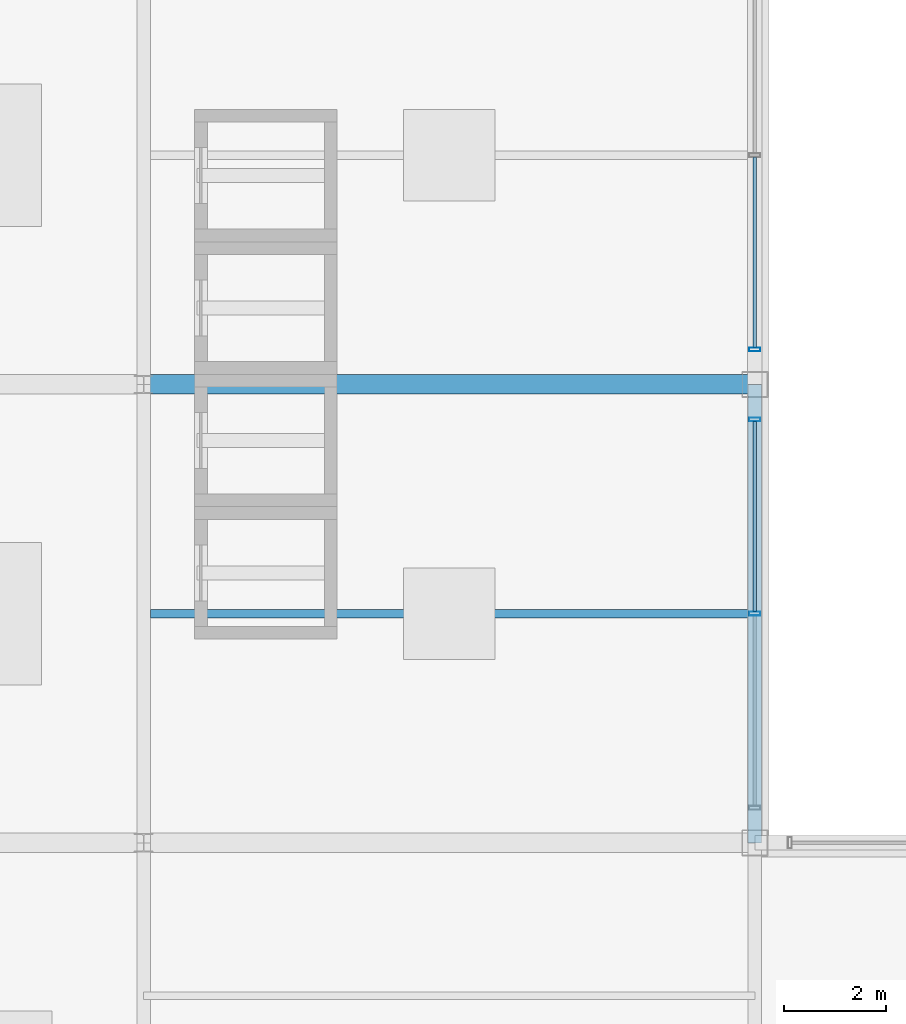
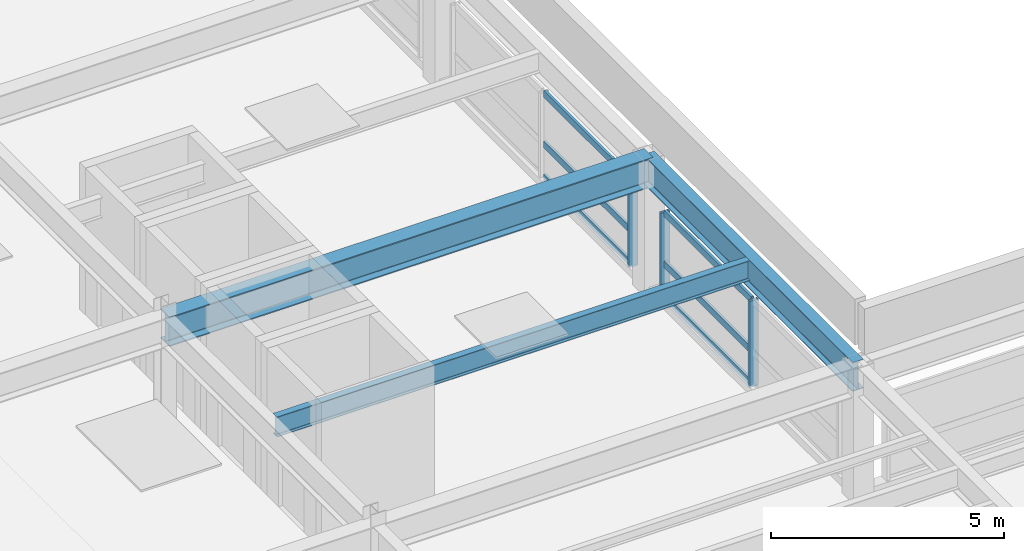
# One storey, part 61 of 108: 9 members, 3 beams, 2 elements without a shape of their own.
"""IFC4 building model written with IfcOpenShell, lengths in metres."""

from ifc_helpers import new_model, si_unit, direction, frame, origin, origin_2d, place, context, subcontext, project, spatial, hollow_rectangle, i_section, extrude, material, material_profile, profile_set, type_object, element, aggregate, save


model = new_model("IFC4")

# Units and contexts
model_context = context("Model", 3, precision=1e-05, world=origin(), true_north=direction((0.0, 1.0)))
body_context = subcontext(model_context, "Body", "Model", "MODEL_VIEW")
ifc_project = project(units=[si_unit("LENGTHUNIT", "METRE"), si_unit("AREAUNIT", "SQUARE_METRE"), si_unit("VOLUMEUNIT", "CUBIC_METRE"), si_unit("PLANEANGLEUNIT", "RADIAN"), si_unit("MASSUNIT", "GRAM", prefix="KILO")], contexts=[model_context])

# Site, building, storey
site_placement = place(None, origin())
site = spatial("IfcSite", under=ifc_project, at=site_placement, CompositionType="ELEMENT")
building_placement = place(site_placement, origin())
building = spatial("IfcBuilding", under=site, at=building_placement, Name="Kaldorvane Square Convention Centre", CompositionType="ELEMENT")
storey_placement = place(building_placement, frame((0.0, 0.0, 23.399993896484375)))
storey = spatial("IfcBuildingStorey", under=building, at=storey_placement, Name="L04", CompositionType="ELEMENT", Elevation=23.399993896484375)

# Beams
ifc_material_1 = material(Name="Steel ASTM A992 Gr. 50", Category="steel")
ifc_material_profile_1 = material_profile(ifc_material_1, i_section(OverallWidth=0.2666015625, OverallDepth=0.762298583984375, WebThickness=0.014404296875, FlangeThickness=0.0216064453125, FilletRadius=0.0164947509765625, at=origin_2d()), Name="W30X116")
ifc_profile_set_1 = profile_set([ifc_material_profile_1], Name="Steel ASTM A992 Gr. 50")
beam_type_1 = type_object("IfcBeamType", Name="BM-GR-W30X116", PredefinedType="BEAM", material=ifc_profile_set_1)
beam_1_placement = place(storey_placement, frame((138.0, 36.0, 3.144805908203125), z_axis=(0.0, 1.0, 0.0), x_axis=(-1.0, 0.0, 0.0)))
element("IfcBeam", 1, at=beam_1_placement, inside=storey, type_object=beam_type_1, Name="Transverse Girder (L04)", PredefinedType="BEAM", context=body_context, shape_type="SweptSolid", body=[
    extrude(i_section(OverallWidth=0.2666015625, OverallDepth=0.762298583984375, WebThickness=0.014404296875, FlangeThickness=0.0216064453125, FilletRadius=0.0164947509765625, at=origin_2d()), origin(), (0.0, 0.0, 1.0), 9.0),
])
ifc_material_profile_2 = material_profile(ifc_material_1, i_section(OverallWidth=0.380706787109375, OverallDepth=0.773193359375, WebThickness=0.0166015625, FlangeThickness=0.027099609375, FilletRadius=0.0164947509765625, at=origin_2d()), Name="W30X173")
ifc_profile_set_2 = profile_set([ifc_material_profile_2], Name="Steel ASTM A992 Gr. 50")
beam_type_2 = type_object("IfcBeamType", Name="BM-GR-W30X173", PredefinedType="BEAM", material=ifc_profile_set_2)
beam_2_placement = place(storey_placement, frame((126.0, 45.0, 3.139404296875), z_axis=(1.0, 0.0, 0.0), x_axis=(0.0, 1.0, 0.0)))
element("IfcBeam", 2, at=beam_2_placement, inside=storey, type_object=beam_type_2, Name="Primary Girder (L04)", PredefinedType="BEAM", context=body_context, shape_type="SweptSolid", body=[
    extrude(i_section(OverallWidth=0.380706787109375, OverallDepth=0.773193359375, WebThickness=0.0166015625, FlangeThickness=0.027099609375, FilletRadius=0.0164947509765625, at=origin_2d()), origin(), (0.0, 0.0, 1.0), 12.0),
])
ifc_material_profile_3 = material_profile(ifc_material_1, i_section(OverallWidth=0.1658935546875, OverallDepth=0.5290985107421875, WebThickness=0.00970458984375, FlangeThickness=0.0135955810546875, FilletRadius=0.0126953125, at=origin_2d()), Name="W21X50")
ifc_profile_set_3 = profile_set([ifc_material_profile_3], Name="Steel ASTM A992 Gr. 50")
beam_type_3 = type_object("IfcBeamType", Name="BM-JS-W21X50", PredefinedType="JOIST", material=ifc_profile_set_3)
beam_3_placement = place(storey_placement, frame((126.13330078125, 40.5, 3.26141357421875), z_axis=(1.0, 0.0, 0.0), x_axis=(0.0, 1.0, 0.0)))
element("IfcBeam", 3, at=beam_3_placement, inside=storey, type_object=beam_type_3, Name="Secondary Floor Joist (L04)", PredefinedType="JOIST", context=body_context, shape_type="SweptSolid", body=[
    extrude(i_section(OverallWidth=0.1658935546875, OverallDepth=0.5290985107421875, WebThickness=0.00970458984375, FlangeThickness=0.0135955810546875, FilletRadius=0.0126953125, at=origin_2d()), origin(), (0.0, 0.0, 1.0), 11.7333984375),
])

# Curtain wall, members
ifc_material_2 = material(Name="Anodized Aluminum and Low-E Insulated Glazing", Category="aluminium")
curtain_wall_type = type_object("IfcCurtainWallType", Name="CW-PTS-FC-42", PredefinedType="USERDEFINED", material=ifc_material_2)
curtain_wall_1_placement = place(storey_placement, origin())
curtain_wall_1 = element("IfcCurtainWall", 4, at=curtain_wall_1_placement, inside=storey, type_object=curtain_wall_type, Name="Curtain Wall CW-09 (L04)", ObjectType="POINT SUPPORTED GLAZING", PredefinedType="USERDEFINED")
ifc_material_profile_4 = material_profile(ifc_material_2, hollow_rectangle(XDim=0.0749969482421875, YDim=0.220001220703125, WallThickness=0.003997802734375, at=origin_2d()), Name="CWM-220X75")
ifc_profile_set_4 = profile_set([ifc_material_profile_4], Name="Anodized Aluminum and Low-E Insulated Glazing")
member_type_1 = type_object("IfcMemberType", Name="CW-MUL-220", PredefinedType="MULLION", material=ifc_profile_set_4)
member_1_placement = place(storey_placement, frame((138.0, 40.5, 0.1500091552734375), z_axis=(0.0, 0.0, 1.0), x_axis=(0.0, 1.0, 0.0)))
member_1 = element("IfcMember", 5, at=member_1_placement, type_object=member_type_1, Name="CW-09 mullion 2", PredefinedType="MULLION", context=body_context, shape_type="SweptSolid", body=[
    extrude(hollow_rectangle(XDim=0.0749969482421875, YDim=0.220001220703125, WallThickness=0.003997802734375, at=origin_2d()), origin(), (0.0, 0.0, 1.0), 2.2599945068359375),
])
member_2_placement = place(storey_placement, frame((138.0, 44.3125, 0.1500091552734375), z_axis=(0.0, 0.0, 1.0), x_axis=(0.0, 1.0, 0.0)))
member_2 = element("IfcMember", 6, at=member_2_placement, type_object=member_type_1, Name="CW-09 mullion 3", PredefinedType="MULLION", context=body_context, shape_type="SweptSolid", body=[
    extrude(hollow_rectangle(XDim=0.0749969482421875, YDim=0.220001220703125, WallThickness=0.003997802734375, at=origin_2d()), origin(), (0.0, 0.0, 1.0), 2.2599945068359375),
])

# Curtain wall, member
curtain_wall_2_placement = place(storey_placement, origin())
curtain_wall_2 = element("IfcCurtainWall", 7, at=curtain_wall_2_placement, inside=storey, type_object=curtain_wall_type, Name="Curtain Wall CW-09 (L04)", ObjectType="POINT SUPPORTED GLAZING", PredefinedType="USERDEFINED")
member_3_placement = place(storey_placement, frame((138.0, 45.6875, 0.1500091552734375), z_axis=(0.0, 0.0, 1.0), x_axis=(0.0, 1.0, 0.0)))
member_3 = element("IfcMember", 8, at=member_3_placement, type_object=member_type_1, Name="CW-09 mullion 1", PredefinedType="MULLION", context=body_context, shape_type="SweptSolid", body=[
    extrude(hollow_rectangle(XDim=0.0749969482421875, YDim=0.220001220703125, WallThickness=0.003997802734375, at=origin_2d()), origin(), (0.0, 0.0, 1.0), 2.2599945068359375),
])

# Member
ifc_material_profile_5 = material_profile(ifc_material_2, hollow_rectangle(XDim=0.06500244140625, YDim=0.17999267578125, WallThickness=0.0034942626953125, at=origin_2d()), Name="CWT-180X65")
ifc_profile_set_5 = profile_set([ifc_material_profile_5], Name="Anodized Aluminum and Low-E Insulated Glazing")
member_type_2 = type_object("IfcMemberType", Name="CW-TRN-180", PredefinedType="USERDEFINED", material=ifc_profile_set_5)
member_4_placement = place(storey_placement, frame((138.0, 40.537506103515625, 0.1825103759765625), z_axis=(0.0, 1.0, 0.0), x_axis=(-1.0, 0.0, 0.0)))
member_4 = element("IfcMember", 9, at=member_4_placement, type_object=member_type_2, Name="CW-09 transom 2.1", ObjectType="TRANSOM", PredefinedType="USERDEFINED", context=body_context, shape_type="SweptSolid", body=[
    extrude(hollow_rectangle(XDim=0.06500244140625, YDim=0.17999267578125, WallThickness=0.0034942626953125, at=origin_2d()), origin(), (0.0, 0.0, 1.0), 3.73748779296875),
])

member_5_placement = place(storey_placement, frame((138.0, 40.537506103515625, 1.0500030517578125), z_axis=(0.0, 1.0, 0.0), x_axis=(-1.0, 0.0, 0.0)))
member_5 = element("IfcMember", 10, at=member_5_placement, type_object=member_type_2, Name="CW-09 transom 2.2", ObjectType="TRANSOM", PredefinedType="USERDEFINED", context=body_context, shape_type="SweptSolid", body=[
    extrude(hollow_rectangle(XDim=0.06500244140625, YDim=0.17999267578125, WallThickness=0.0034942626953125, at=origin_2d()), origin(), (0.0, 0.0, 1.0), 3.73748779296875),
])

member_6_placement = place(storey_placement, frame((138.0, 40.537506103515625, 2.37750244140625), z_axis=(0.0, 1.0, 0.0), x_axis=(-1.0, 0.0, 0.0)))
member_6 = element("IfcMember", 11, at=member_6_placement, type_object=member_type_2, Name="CW-09 transom 2.3", ObjectType="TRANSOM", PredefinedType="USERDEFINED", context=body_context, shape_type="SweptSolid", body=[
    extrude(hollow_rectangle(XDim=0.06500244140625, YDim=0.17999267578125, WallThickness=0.0034942626953125, at=origin_2d()), origin(), (0.0, 0.0, 1.0), 3.73748779296875),
])

aggregate(curtain_wall_1, [member_1, member_2, member_4, member_5, member_6])

member_7_placement = place(storey_placement, frame((138.0, 45.725006103515625, 0.1825103759765625), z_axis=(0.0, 1.0, 0.0), x_axis=(-1.0, 0.0, 0.0)))
member_7 = element("IfcMember", 12, at=member_7_placement, type_object=member_type_2, Name="CW-09 transom 1.1", ObjectType="TRANSOM", PredefinedType="USERDEFINED", context=body_context, shape_type="SweptSolid", body=[
    extrude(hollow_rectangle(XDim=0.06500244140625, YDim=0.17999267578125, WallThickness=0.0034942626953125, at=origin_2d()), origin(), (0.0, 0.0, 1.0), 3.73748779296875),
])

member_8_placement = place(storey_placement, frame((138.0, 45.725006103515625, 1.0500030517578125), z_axis=(0.0, 1.0, 0.0), x_axis=(-1.0, 0.0, 0.0)))
member_8 = element("IfcMember", 13, at=member_8_placement, type_object=member_type_2, Name="CW-09 transom 1.2", ObjectType="TRANSOM", PredefinedType="USERDEFINED", context=body_context, shape_type="SweptSolid", body=[
    extrude(hollow_rectangle(XDim=0.06500244140625, YDim=0.17999267578125, WallThickness=0.0034942626953125, at=origin_2d()), origin(), (0.0, 0.0, 1.0), 3.73748779296875),
])

member_9_placement = place(storey_placement, frame((138.0, 45.725006103515625, 2.37750244140625), z_axis=(0.0, 1.0, 0.0), x_axis=(-1.0, 0.0, 0.0)))
member_9 = element("IfcMember", 14, at=member_9_placement, type_object=member_type_2, Name="CW-09 transom 1.3", ObjectType="TRANSOM", PredefinedType="USERDEFINED", context=body_context, shape_type="SweptSolid", body=[
    extrude(hollow_rectangle(XDim=0.06500244140625, YDim=0.17999267578125, WallThickness=0.0034942626953125, at=origin_2d()), origin(), (0.0, 0.0, 1.0), 3.73748779296875),
])

aggregate(curtain_wall_2, [member_3, member_7, member_8, member_9])

save(model, "model.ifc")
